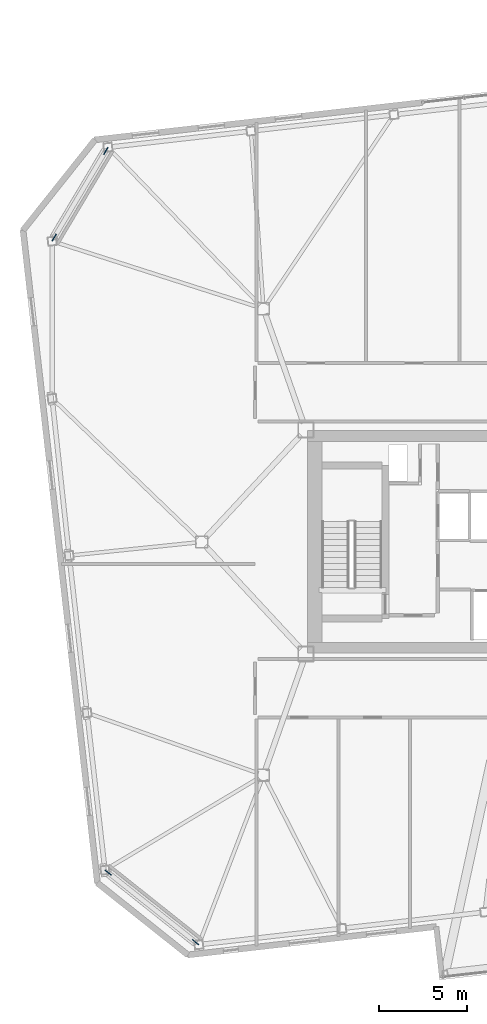
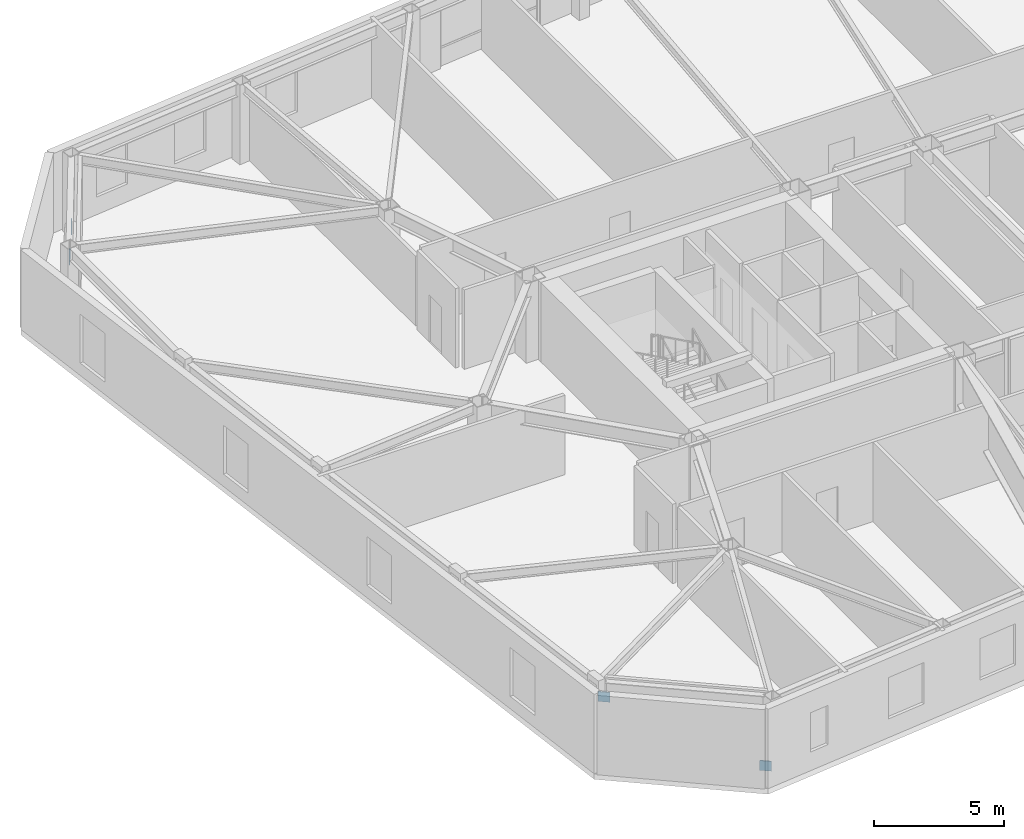
# One storey, part 17 of 19: 4 discrete accessories.
"""IFC4 building model written with IfcOpenShell, lengths in metres."""

from ifc_helpers import new_model, si_unit, direction, frame, origin, origin_2d, place, context, subcontext, project, spatial, rectangle, extrude, material, type_object, element, save


model = new_model("IFC4")

# Units and contexts
model_context = context("Model", 3, precision=1e-05, world=origin(), true_north=direction((0.0, 1.0)))
body_context = subcontext(model_context, "Body", "Model", "MODEL_VIEW")
ifc_project = project(units=[si_unit("LENGTHUNIT", "METRE"), si_unit("AREAUNIT", "SQUARE_METRE"), si_unit("VOLUMEUNIT", "CUBIC_METRE"), si_unit("PLANEANGLEUNIT", "RADIAN"), si_unit("MASSUNIT", "GRAM", prefix="KILO")], contexts=[model_context])

# Site, building, storey
site_placement = place(None, origin())
site = spatial("IfcSite", under=ifc_project, at=site_placement, CompositionType="ELEMENT")
building_placement = place(site_placement, origin())
building = spatial("IfcBuilding", under=site, at=building_placement, Name="Tavrogorsk Clinical Tower", CompositionType="ELEMENT")
storey_placement = place(building_placement, frame((0.0, 0.0, 218.199951171875)))
storey = spatial("IfcBuildingStorey", under=building, at=storey_placement, Name="L50", CompositionType="ELEMENT", Elevation=218.199951171875)

# Discrete accessories
ifc_material = material(Name="Structural steel S440", Category="steel")
discrete_accessory_type = type_object("IfcDiscreteAccessoryType", Name="GussetPlateBracket_25", PredefinedType="BRACKET", material=ifc_material)
for number, where, z_axis, x_axis, name in (
    (1, (-33.428955078125, 22.143310546875, 0.17626953125), (0.0, 0.0, 1.0), (-0.511443073004, -0.859317160934, 0.0), "L50 Brace Gusset Plate EXOCRN-L50-3-A"),
    (2, (-36.349853515625, 17.23486328125, 2.75390625), (0.0, 0.0, 1.0), (-0.511443073004, -0.859317160934, 0.0), "L50 Brace Gusset Plate EXOCRN-L50-3-B"),
    (3, (-28.3515625, -22.654052734375, 0.168212890625), (0.0, 0.0, 1.0), (-0.782608156852, 0.622514636638, 0.0), "L50 Brace Gusset Plate EXOCRN-L50-4-A"),
    (4, (-33.29052734375, -18.725341796875, 2.761962890625), (0.0, 0.0, 1.0), (-0.782608156852, 0.622514636638, 0.0), "L50 Brace Gusset Plate EXOCRN-L50-4-B"),
):
    element("IfcDiscreteAccessory", number, at=place(storey_placement, frame(where, z_axis=z_axis, x_axis=x_axis)), inside=storey, type_object=discrete_accessory_type, Name=name, PredefinedType="BRACKET", context=body_context, shape_type="SweptSolid", body=[
        extrude(rectangle(XDim=0.4599609375, YDim=0.0400390625, at=origin_2d()), origin(), (0.0, 0.0, 1.0), 0.4599609375),
    ])

save(model, "model.ifc")
